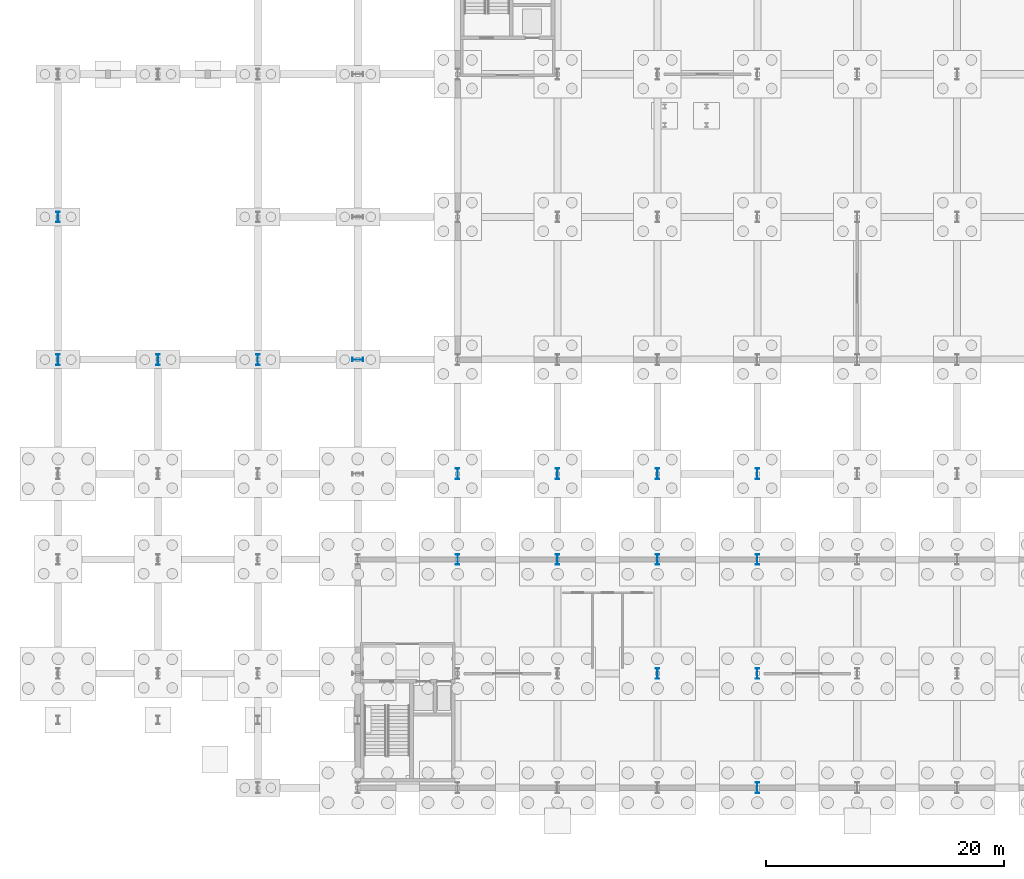
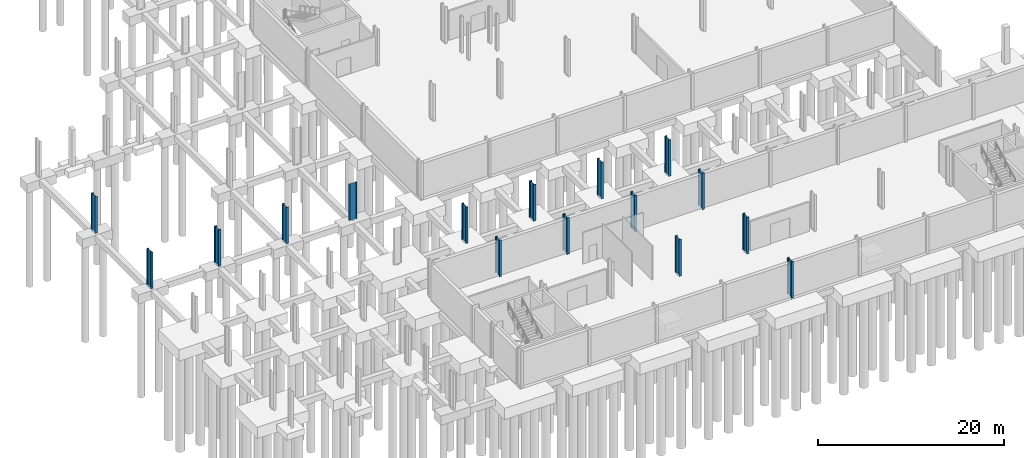
# One storey, part 8 of 29: 16 columns.
"""IFC4 building model written with IfcOpenShell, lengths in metres."""

import ifcopenshell
import ifcopenshell.guid

model = None  # the IFC model being written
_history = None  # IfcOwnerHistory: only IFC2X3 demands one
_inside = {}  # id of a spatial element -> (the spatial element, [elements in it])
_under = {}  # id of a project, library or spatial element -> (it, [spatial elements below it])
_declared = {}  # id of a project -> (the project, [libraries it declares])
_typed = {}  # id of a type object -> (the type object, [elements of that type])
_made_of = {}  # id of a material, layer set ... -> (it, [elements and type objects made of it])


def new_model(schema):
    """Start an empty IFC model of exactly this schema.

    Asked for "IFC4X3", IfcOpenShell would pick the latest addendum, in which some entities
    have other attributes; the version numbers below select the first issue.
    IFC2X3 requires an IfcOwnerHistory on every rooted entity: one is made here for all.
    """
    global model, _history
    if schema == "IFC4X3":
        model = ifcopenshell.file(schema_version=(4, 3, 0, 0))
    else:
        model = ifcopenshell.file(schema=schema)
    _inside.clear()
    _under.clear()
    _declared.clear()
    _typed.clear()
    _made_of.clear()
    _history = None
    if model.schema == "IFC2X3":
        org = make("IfcOrganization", Name="unknown")
        user = make(
            "IfcPersonAndOrganization",
            ThePerson=make("IfcPerson", FamilyName="unknown"),
            TheOrganization=org,
        )
        app = make(
            "IfcApplication",
            ApplicationDeveloper=org,
            Version="unknown",
            ApplicationFullName="unknown",
            ApplicationIdentifier="unknown",
        )
        _history = make(
            "IfcOwnerHistory",
            OwningUser=user,
            OwningApplication=app,
            ChangeAction="ADDED",
            CreationDate=0,
        )
    return model


def make(cls, **values):
    """One entity of the class cls with the attributes given. An attribute that is None is left unset."""
    return model.create_entity(
        cls, **{name: value for name, value in values.items() if value is not None}
    )


def rooted(cls, **values):
    """An entity with a GlobalId (a new one), such as an element, a storey or a relation."""
    return make(cls, GlobalId=ifcopenshell.guid.new(), OwnerHistory=_history, **values)


def si_unit(unit_type, name, prefix=None):
    """IfcSIUnit, for example si_unit("LENGTHUNIT", "METRE", prefix="MILLI")."""
    return make("IfcSIUnit", UnitType=unit_type, Prefix=prefix, Name=name)


def assignment(units):
    """IfcUnitAssignment: the units of a project."""
    return None if units is None else make("IfcUnitAssignment", Units=units)


def point(xyz):
    """IfcCartesianPoint."""
    return None if xyz is None else make("IfcCartesianPoint", Coordinates=xyz)


def direction(xyz):
    """IfcDirection."""
    return None if xyz is None else make("IfcDirection", DirectionRatios=xyz)


def frame(location, z_axis=None, x_axis=None):
    """IfcAxis2Placement3D, a coordinate frame: its origin and axes. An axis left out is left unset."""
    return make(
        "IfcAxis2Placement3D",
        Location=point(location),
        Axis=direction(z_axis),
        RefDirection=direction(x_axis),
    )


def frame_2d(location, x_axis=None):
    """IfcAxis2Placement2D, a coordinate frame in the plane: its origin and x axis."""
    return make(
        "IfcAxis2Placement2D", Location=point(location), RefDirection=direction(x_axis)
    )


def origin():
    """The frame at (0, 0, 0) with its axes left unset."""
    return frame((0.0, 0.0, 0.0))


def origin_2d():
    """The frame at (0, 0) in the plane with its x axis left unset."""
    return frame_2d((0.0, 0.0))


def place(relative_to, where):
    """IfcLocalPlacement: puts the frame where relative to a parent placement (None: the world)."""
    return make(
        "IfcLocalPlacement", PlacementRelTo=relative_to, RelativePlacement=where
    )


def context(
    kind, dimensions, precision=None, world=None, true_north=None, identifier=None
):
    """IfcGeometricRepresentationContext, for example the 3D "Model" context."""
    return make(
        "IfcGeometricRepresentationContext",
        ContextIdentifier=identifier,
        ContextType=kind,
        CoordinateSpaceDimension=dimensions,
        Precision=precision,
        WorldCoordinateSystem=world,
        TrueNorth=true_north,
    )


def subcontext(parent, identifier, kind, view, scale=None):
    """IfcGeometricRepresentationSubContext, for example "Body" below "Model"."""
    return make(
        "IfcGeometricRepresentationSubContext",
        ContextIdentifier=identifier,
        ContextType=kind,
        ParentContext=parent,
        TargetScale=scale,
        TargetView=view,
    )


def project(units=None, contexts=None):
    """IfcProject with its units and contexts."""
    return rooted(
        "IfcProject",
        Name="project",
        RepresentationContexts=contexts,
        UnitsInContext=assignment(units),
    )


def spatial(cls, under=None, at=None, **own):
    """A site, building, storey or space (cls), placed at a placement, below another one or the project."""
    s = rooted(cls, ObjectPlacement=at, **own)
    if under is not None:
        _under.setdefault(under.id(), (under, []))[1].append(s)
    return s


def profile(cls, at=None, kind="AREA", **sizes):
    """A parametric profile (cls). Its sizes go by their IFC names, for example OverallWidth=200.0."""
    return make(cls, ProfileType=kind, Position=at, **sizes)


def i_section(**sizes):
    """IfcIShapeProfileDef."""
    return profile("IfcIShapeProfileDef", **sizes)


def extrude(swept, where, along, depth):
    """IfcExtrudedAreaSolid: the profile swept, set in the frame where, extruded along a direction by depth."""
    return make(
        "IfcExtrudedAreaSolid",
        SweptArea=swept,
        Position=where,
        ExtrudedDirection=direction(along),
        Depth=depth,
    )


def shape(context_of_items, identifier, shape_type, items):
    """IfcShapeRepresentation: the items that make up one representation, for example the "Body"."""
    return make(
        "IfcShapeRepresentation",
        ContextOfItems=context_of_items,
        RepresentationIdentifier=identifier,
        RepresentationType=shape_type,
        Items=items,
    )


def material(Name=None, Category=None):
    """IfcMaterial."""
    return make("IfcMaterial", Name=Name, Category=Category)


def material_profile(
    of_material, cross_section, Name=None, Category=None, Priority=None
):
    """IfcMaterialProfile: a cross section and its material."""
    return make(
        "IfcMaterialProfile",
        Name=Name,
        Material=of_material,
        Profile=cross_section,
        Priority=Priority,
        Category=Category,
    )


def profile_set(profiles, Name=None, composite=None):
    """IfcMaterialProfileSet."""
    return make(
        "IfcMaterialProfileSet",
        Name=Name,
        MaterialProfiles=profiles,
        CompositeProfile=composite,
    )


def made_of(thing, what):
    """Note that an element or type object is made of a material, layer set ...; save() writes the relation."""
    if what is not None:
        _made_of.setdefault(what.id(), (what, []))[1].append(thing)
    return thing


def type_object(cls, material=None, **own):
    """A type object (cls), such as IfcWallType, which elements share."""
    return made_of(rooted(cls, **own), material)


def element(
    cls,
    number,
    at=None,
    inside=None,
    cuts=None,
    type_object=None,
    material=None,
    context=None,
    identifier="Body",
    shape_type=None,
    held_by="IfcProductDefinitionShape",
    body=None,
    shapes=None,
    **own,
):
    """One element of the class cls, such as IfcWall. Its Tag is "e" and its number.

    at: its placement. inside: the storey or other place that contains it. cuts: it is an
    opening in that element (IfcRelVoidsElement). A single representation is given by context,
    identifier, shape_type and body (its items); several are given by shapes. held_by: the class
    of the entity that holds the representations. save() writes the other relations.
    """
    e = rooted(cls, Tag="e%d" % number, ObjectPlacement=at, **own)
    if body is not None:
        shapes = [shape(context, identifier, shape_type, body)]
    if shapes is not None:
        e.Representation = make(held_by, Representations=shapes)
    if inside is not None:
        _inside.setdefault(inside.id(), (inside, []))[1].append(e)
    if cuts is not None:
        rooted(
            "IfcRelVoidsElement", RelatingBuildingElement=cuts, RelatedOpeningElement=e
        )
    if type_object is not None:
        _typed.setdefault(type_object.id(), (type_object, []))[1].append(e)
    return made_of(e, material)


def aggregate(whole, parts):
    """IfcRelAggregates: a whole, such as a stair, and the parts it consists of."""
    return rooted("IfcRelAggregates", RelatingObject=whole, RelatedObjects=parts)


def save(model, path):
    """Write the relations noted so far, then the file.

    IfcRelAggregates (storeys below a building ...), IfcRelContainedInSpatialStructure (elements
    in a storey), IfcRelDefinesByType, IfcRelAssociatesMaterial and IfcRelDeclares: one each for
    every whole, place, type object, material and project.
    """
    for whole, parts in _under.values():
        aggregate(whole, parts)
    for where, things in _inside.values():
        rooted(
            "IfcRelContainedInSpatialStructure",
            RelatedElements=things,
            RelatingStructure=where,
        )
    for kind, things in _typed.values():
        rooted("IfcRelDefinesByType", RelatedObjects=things, RelatingType=kind)
    for what, things in _made_of.values():
        rooted("IfcRelAssociatesMaterial", RelatedObjects=things, RelatingMaterial=what)
    for by, libraries in _declared.values():
        rooted("IfcRelDeclares", RelatingContext=by, RelatedDefinitions=libraries)
    model.write(path)


model = new_model("IFC4")

# Units and contexts
model_context = context("Model", 3, precision=1e-05, world=origin(), true_north=direction((0.0, 1.0)))
body_context = subcontext(model_context, "Body", "Model", "MODEL_VIEW")
ifc_project = project(units=[si_unit("LENGTHUNIT", "METRE"), si_unit("AREAUNIT", "SQUARE_METRE"), si_unit("VOLUMEUNIT", "CUBIC_METRE"), si_unit("PLANEANGLEUNIT", "RADIAN"), si_unit("MASSUNIT", "GRAM", prefix="KILO")], contexts=[model_context])

# Site, building, storey
site_placement = place(None, origin())
site = spatial("IfcSite", under=ifc_project, at=site_placement, CompositionType="ELEMENT")
building_placement = place(site_placement, origin())
building = spatial("IfcBuilding", under=site, at=building_placement, Name="Veltarok Museum of Natural Sciences", CompositionType="ELEMENT")
storey_placement = place(building_placement, frame((0.0, 0.0, -4.800048828125)))
storey = spatial("IfcBuildingStorey", under=building, at=storey_placement, Name="B1", CompositionType="ELEMENT", Elevation=-4.800048828125)

# Columns
ifc_material = material(Name="Steel S355J2", Category="steel")
ifc_material_profile = material_profile(ifc_material, i_section(OverallWidth=0.300048828125, OverallDepth=0.89990234375, WebThickness=0.0185546875, FlangeThickness=0.034912109375, FilletRadius=0.030029296875, at=origin_2d()), Name="HEB 900")
ifc_profile_set = profile_set([ifc_material_profile], Name="Steel S355J2")
column_type = type_object("IfcColumnType", Name="Heavy Hall Column HEB 900", PredefinedType="COLUMN", material=ifc_profile_set)
for number, where, z_axis, x_axis, name in (
    (1, (6.39990234375, 36.0, 0.0), (0.0, 0.0, 1.0), (1.0, 0.0, 0.0), "Column COL-S01 B1 1/E"),
    (2, (6.39990234375, 48.0, 0.0), (0.0, 0.0, 1.0), (1.0, 0.0, 0.0), "Column COL-S01 B1 1/F"),
    (3, (14.800048828125, 36.0, 0.0), (0.0, 0.0, 1.0), (1.0, 0.0, 0.0), "Column COL-S01 B1 2/E"),
    (4, (23.199951171875, 36.0, 0.0), (0.0, 0.0, 1.0), (1.0, 0.0, 0.0), "Column COL-S01 B1 3/E"),
    (5, (31.60009765625, 36.0, 0.0), (0.0, 0.0, 1.0), (0.0, 1.0, 0.0), "Column COL-S01 B1 4/E"),
    (6, (40.0, 19.199951171875, 0.0), (0.0, 0.0, 1.0), (1.0, 0.0, 0.0), "Column COL-S01 B1 5/C"),
    (7, (40.0, 26.39990234375, 0.0), (0.0, 0.0, 1.0), (1.0, 0.0, 0.0), "Column COL-S01 B1 5/D"),
    (8, (48.39990234375, 19.199951171875, 0.0), (0.0, 0.0, 1.0), (1.0, 0.0, 0.0), "Column COL-S01 B1 6/C"),
    (9, (48.39990234375, 26.39990234375, 0.0), (0.0, 0.0, 1.0), (1.0, 0.0, 0.0), "Column COL-S01 B1 6/D"),
    (10, (56.800048828125, 9.60009765625, 0.0), (0.0, 0.0, 1.0), (1.0, 0.0, 0.0), "Column COL-S01 B1 7/B"),
    (11, (56.800048828125, 19.199951171875, 0.0), (0.0, 0.0, 1.0), (1.0, 0.0, 0.0), "Column COL-S01 B1 7/C"),
    (12, (56.800048828125, 26.39990234375, 0.0), (0.0, 0.0, 1.0), (1.0, 0.0, 0.0), "Column COL-S01 B1 7/D"),
    (13, (65.199951171875, 0.0, 0.0), (0.0, 0.0, 1.0), (1.0, 0.0, 0.0), "Column COL-S01 B1 8/A"),
    (14, (65.199951171875, 9.60009765625, 0.0), (0.0, 0.0, 1.0), (1.0, 0.0, 0.0), "Column COL-S01 B1 8/B"),
    (15, (65.199951171875, 19.199951171875, 0.0), (0.0, 0.0, 1.0), (1.0, 0.0, 0.0), "Column COL-S01 B1 8/C"),
    (16, (65.199951171875, 26.39990234375, 0.0), (0.0, 0.0, 1.0), (1.0, 0.0, 0.0), "Column COL-S01 B1 8/D"),
):
    element("IfcColumn", number, at=place(storey_placement, frame(where, z_axis=z_axis, x_axis=x_axis)), inside=storey, type_object=column_type, Name=name, PredefinedType="COLUMN", context=body_context, shape_type="SweptSolid", body=[
        extrude(i_section(OverallWidth=0.300048828125, OverallDepth=0.89990234375, WebThickness=0.0185546875, FlangeThickness=0.034912109375, FilletRadius=0.030029296875, at=origin_2d()), origin(), (0.0, 0.0, 1.0), 4.800048828125),
    ])

save(model, "model.ifc")
